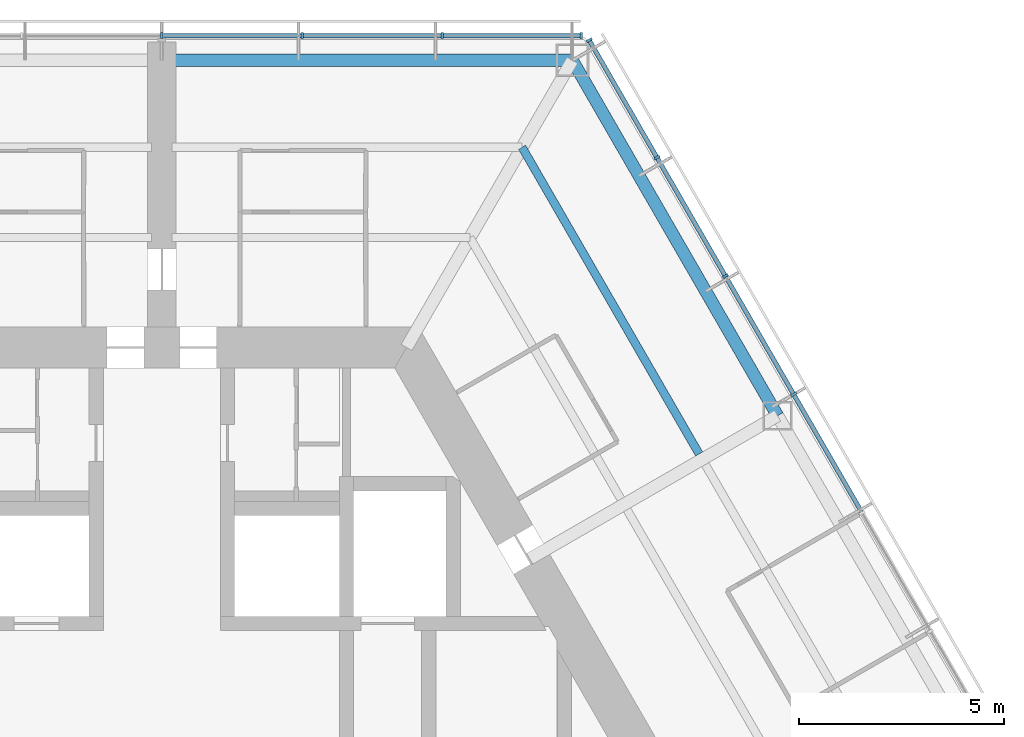
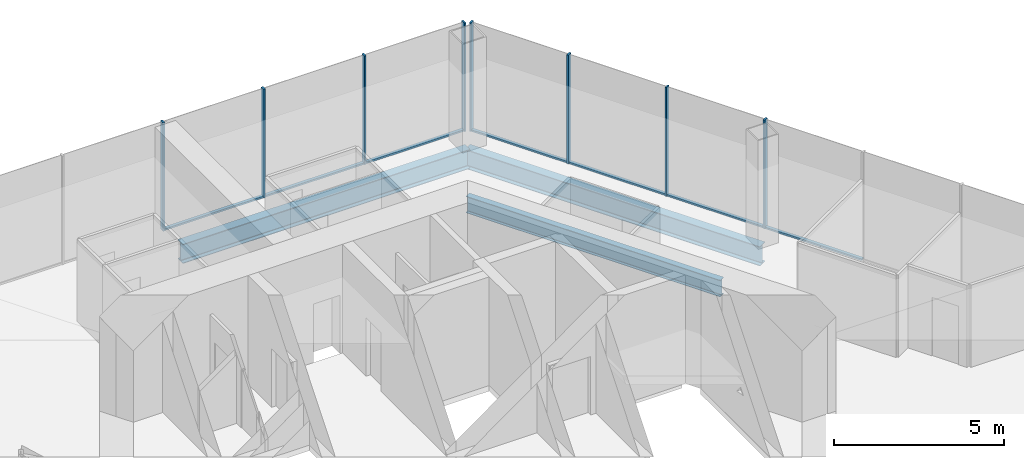
# One storey, part 8 of 18: 15 members, 3 beams, 2 elements without a shape of their own.
"""IFC4 building model written with IfcOpenShell, lengths in metres."""

from ifc_helpers import new_model, si_unit, direction, frame, origin, origin_2d, place, context, subcontext, project, spatial, rectangle, i_section, extrude, material, material_profile, profile_set, type_object, element, aggregate, save


model = new_model("IFC4")

# Units and contexts
model_context = context("Model", 3, precision=1e-05, world=origin(), true_north=direction((0.0, 1.0)))
body_context = subcontext(model_context, "Body", "Model", "MODEL_VIEW")
ifc_project = project(units=[si_unit("LENGTHUNIT", "METRE"), si_unit("AREAUNIT", "SQUARE_METRE"), si_unit("VOLUMEUNIT", "CUBIC_METRE"), si_unit("PLANEANGLEUNIT", "RADIAN"), si_unit("MASSUNIT", "GRAM", prefix="KILO")], contexts=[model_context])

# Site, building, storey
site_placement = place(None, origin())
site = spatial("IfcSite", under=ifc_project, at=site_placement, CompositionType="ELEMENT")
building_placement = place(site_placement, origin())
building = spatial("IfcBuilding", under=site, at=building_placement, Name="Kasaneha Research Tower", CompositionType="ELEMENT")
storey_placement = place(building_placement, frame((0.0, 0.0, 195.5)))
storey = spatial("IfcBuildingStorey", under=building, at=storey_placement, Name="L49", CompositionType="ELEMENT", Elevation=195.5)

# Beam
ifc_material_1 = material(Name="Steel SN490B", Category="steel")
ifc_material_profile_1 = material_profile(ifc_material_1, i_section(OverallWidth=0.199951171875, OverallDepth=0.60009765625, WebThickness=0.010986328125, FlangeThickness=0.01708984375, FilletRadius=0.012939453125, at=origin_2d()), Name="H-600x200x11x17")
ifc_profile_set_1 = profile_set([ifc_material_profile_1], Name="Steel SN490B")
beam_type_1 = type_object("IfcBeamType", Name="B1-3 secondary beam H-600x200x11x17", PredefinedType="JOIST", material=ifc_profile_set_1)
beam_1_placement = place(storey_placement, frame((8.775634765625, 15.199951171875, -0.449951171875), z_axis=(0.500017275495, -0.866015429543, 0.0), x_axis=(0.866015429543, 0.500017275495, 0.0)))
element("IfcBeam", 1, at=beam_1_placement, inside=storey, type_object=beam_type_1, Name="Secondary beam RS030R2 L49", PredefinedType="JOIST", context=body_context, shape_type="SweptSolid", body=[
    extrude(i_section(OverallWidth=0.199951171875, OverallDepth=0.60009765625, WebThickness=0.010986328125, FlangeThickness=0.01708984375, FilletRadius=0.012939453125, at=origin_2d()), origin(), (0.0, 0.0, 1.0), 8.625732421875),
])

# Curtain wall, members
ifc_material_2 = material(Name="Glass and aluminium", Category="aluminium")
curtain_wall_type = type_object("IfcCurtainWallType", Name="Mid-rise office curtain wall", PredefinedType="USERDEFINED", material=ifc_material_2)
curtain_wall_1_placement = place(storey_placement, origin())
curtain_wall_1 = element("IfcCurtainWall", 2, at=curtain_wall_1_placement, inside=storey, type_object=curtain_wall_type, Name="CW-O2 L49 run 06a", ObjectType="UNITISED CURTAIN WALL", PredefinedType="USERDEFINED")
ifc_material_3 = material(Name="Aluminium 6063-T6", Category="aluminium")
ifc_material_profile_2 = material_profile(ifc_material_3, rectangle(XDim=0.06005859375, YDim=0.14990234375, at=origin_2d()), Name="CW-O2 mullion 60x150")
ifc_profile_set_2 = profile_set([ifc_material_profile_2], Name="Aluminium 6063-T6")
member_type_1 = type_object("IfcMemberType", Name="CW-O2 mullion", PredefinedType="MULLION", material=ifc_profile_set_2)
member_1_placement = place(storey_placement, frame((15.392822265625, 9.179931640625, 0.0), z_axis=(0.0, 0.0, 1.0), x_axis=(-0.499999979232, 0.866025415775, 0.0)))
member_1 = element("IfcMember", 3, at=member_1_placement, type_object=member_type_1, Name="CW-O2 mullion 4", PredefinedType="MULLION", context=body_context, shape_type="SweptSolid", body=[
    extrude(rectangle(XDim=0.06005859375, YDim=0.14990234375, at=origin_2d()), origin(), (0.0, 0.0, 1.0), 3.89990234375),
])
member_2_placement = place(storey_placement, frame((13.727294921875, 12.064453125, 0.0), z_axis=(0.0, 0.0, 1.0), x_axis=(-0.499999979232, 0.866025415775, 0.0)))
member_2 = element("IfcMember", 4, at=member_2_placement, type_object=member_type_1, Name="CW-O2 mullion 5", PredefinedType="MULLION", context=body_context, shape_type="SweptSolid", body=[
    extrude(rectangle(XDim=0.06005859375, YDim=0.14990234375, at=origin_2d()), origin(), (0.0, 0.0, 1.0), 3.89990234375),
])
member_3_placement = place(storey_placement, frame((12.061767578125, 14.94921875, 0.0), z_axis=(0.0, 0.0, 1.0), x_axis=(-0.499999979232, 0.866025415775, 0.0)))
member_3 = element("IfcMember", 5, at=member_3_placement, type_object=member_type_1, Name="CW-O2 mullion 6", PredefinedType="MULLION", context=body_context, shape_type="SweptSolid", body=[
    extrude(rectangle(XDim=0.06005859375, YDim=0.14990234375, at=origin_2d()), origin(), (0.0, 0.0, 1.0), 3.89990234375),
])
member_4_placement = place(storey_placement, frame((10.411376953125, 17.807861328125, 0.0), z_axis=(0.0, 0.0, 1.0), x_axis=(-0.499999979232, 0.866025415775, 0.0)))
member_4 = element("IfcMember", 6, at=member_4_placement, type_object=member_type_1, Name="CW-O2 mullion 7", PredefinedType="MULLION", context=body_context, shape_type="SweptSolid", body=[
    extrude(rectangle(XDim=0.06005859375, YDim=0.14990234375, at=origin_2d()), origin(), (0.0, 0.0, 1.0), 3.89990234375),
])

curtain_wall_2_placement = place(storey_placement, origin())
curtain_wall_2 = element("IfcCurtainWall", 7, at=curtain_wall_2_placement, inside=storey, type_object=curtain_wall_type, Name="CW-O2 L49 run 07a", ObjectType="UNITISED CURTAIN WALL", PredefinedType="USERDEFINED")
member_5_placement = place(storey_placement, frame((10.21630859375, 17.92041015625, 0.0), z_axis=(0.0, 0.0, 1.0), x_axis=(-1.0, 0.0, 0.0)))
member_5 = element("IfcMember", 8, at=member_5_placement, type_object=member_type_1, Name="CW-O2 mullion 1", PredefinedType="MULLION", context=body_context, shape_type="SweptSolid", body=[
    extrude(rectangle(XDim=0.06005859375, YDim=0.14990234375, at=origin_2d()), origin(), (0.0, 0.0, 1.0), 3.89990234375),
])
member_6_placement = place(storey_placement, frame((6.8310546875, 17.92041015625, 0.0), z_axis=(0.0, 0.0, 1.0), x_axis=(-1.0, 0.0, 0.0)))
member_6 = element("IfcMember", 9, at=member_6_placement, type_object=member_type_1, Name="CW-O2 mullion 2", PredefinedType="MULLION", context=body_context, shape_type="SweptSolid", body=[
    extrude(rectangle(XDim=0.06005859375, YDim=0.14990234375, at=origin_2d()), origin(), (0.0, 0.0, 1.0), 3.89990234375),
])
member_7_placement = place(storey_placement, frame((3.41552734375, 17.92041015625, 0.0), z_axis=(0.0, 0.0, 1.0), x_axis=(-1.0, 0.0, 0.0)))
member_7 = element("IfcMember", 10, at=member_7_placement, type_object=member_type_1, Name="CW-O2 mullion 3", PredefinedType="MULLION", context=body_context, shape_type="SweptSolid", body=[
    extrude(rectangle(XDim=0.06005859375, YDim=0.14990234375, at=origin_2d()), origin(), (0.0, 0.0, 1.0), 3.89990234375),
])
member_8_placement = place(storey_placement, frame((0.0, 17.92041015625, 0.0), z_axis=(0.0, 0.0, 1.0), x_axis=(-1.0, 0.0, 0.0)))
member_8 = element("IfcMember", 11, at=member_8_placement, type_object=member_type_1, Name="CW-O2 mullion 4", PredefinedType="MULLION", context=body_context, shape_type="SweptSolid", body=[
    extrude(rectangle(XDim=0.06005859375, YDim=0.14990234375, at=origin_2d()), origin(), (0.0, 0.0, 1.0), 3.89990234375),
])

# Member
ifc_material_4 = material(Name="Aluminium 6063-T6", Category="aluminium")
ifc_material_profile_3 = material_profile(ifc_material_4, rectangle(XDim=0.110107421875, YDim=0.06005859375, at=origin_2d()), Name="CW-O2 transom 110x60")
ifc_profile_set_3 = profile_set([ifc_material_profile_3], Name="Aluminium 6063-T6")
member_type_2 = type_object("IfcMemberType", Name="CW-O2 transom", PredefinedType="USERDEFINED", material=ifc_profile_set_3)
member_9_placement = place(storey_placement, frame((17.043212890625, 6.3212890625, 0.030029296875), z_axis=(-0.50003259116, 0.866006586452, 0.0), x_axis=(-0.866006586452, -0.50003259116, 0.0)))
member_9 = element("IfcMember", 12, at=member_9_placement, type_object=member_type_2, Name="CW-O2 transom 3", ObjectType="TRANSOM", PredefinedType="USERDEFINED", context=body_context, shape_type="SweptSolid", body=[
    extrude(rectangle(XDim=0.110107421875, YDim=0.06005859375, at=origin_2d()), origin(), (0.0, 0.0, 1.0), 3.270751953125),
])

member_10_placement = place(storey_placement, frame((15.3779296875, 9.205810546875, 0.030029296875), z_axis=(-0.500000270186, 0.866025247793, 0.0), x_axis=(-0.866025247793, -0.500000270186, 0.0)))
member_10 = element("IfcMember", 13, at=member_10_placement, type_object=member_type_2, Name="CW-O2 transom 4", ObjectType="TRANSOM", PredefinedType="USERDEFINED", context=body_context, shape_type="SweptSolid", body=[
    extrude(rectangle(XDim=0.110107421875, YDim=0.06005859375, at=origin_2d()), origin(), (0.0, 0.0, 1.0), 3.27099609375),
])

member_11_placement = place(storey_placement, frame((13.71240234375, 12.090576171875, 0.030029296875), z_axis=(-0.500000270186, 0.866025247793, 0.0), x_axis=(-0.866025247793, -0.500000270186, 0.0)))
member_11 = element("IfcMember", 14, at=member_11_placement, type_object=member_type_2, Name="CW-O2 transom 5", ObjectType="TRANSOM", PredefinedType="USERDEFINED", context=body_context, shape_type="SweptSolid", body=[
    extrude(rectangle(XDim=0.110107421875, YDim=0.06005859375, at=origin_2d()), origin(), (0.0, 0.0, 1.0), 3.27099609375),
])

member_12_placement = place(storey_placement, frame((12.046875, 14.97509765625, 0.030029296875), z_axis=(-0.499955025697, 0.866051368154, 0.0), x_axis=(-0.866051368154, -0.499955025697, 0.0)))
member_12 = element("IfcMember", 15, at=member_12_placement, type_object=member_type_2, Name="CW-O2 transom 6", ObjectType="TRANSOM", PredefinedType="USERDEFINED", context=body_context, shape_type="SweptSolid", body=[
    extrude(rectangle(XDim=0.110107421875, YDim=0.06005859375, at=origin_2d()), origin(), (0.0, 0.0, 1.0), 3.240966796875),
])

aggregate(curtain_wall_1, [member_1, member_2, member_3, member_4, member_9, member_10, member_11, member_12])

member_13_placement = place(storey_placement, frame((10.1865234375, 17.92041015625, 0.030029296875), z_axis=(-1.0, 0.0, 0.0), x_axis=(0.0, -1.0, 0.0)))
member_13 = element("IfcMember", 16, at=member_13_placement, type_object=member_type_2, Name="CW-O2 transom 1", ObjectType="TRANSOM", PredefinedType="USERDEFINED", context=body_context, shape_type="SweptSolid", body=[
    extrude(rectangle(XDim=0.110107421875, YDim=0.06005859375, at=origin_2d()), origin(), (0.0, 0.0, 1.0), 3.32568359375),
])

member_14_placement = place(storey_placement, frame((6.801025390625, 17.92041015625, 0.030029296875), z_axis=(-1.0, 0.0, 0.0), x_axis=(0.0, -1.0, 0.0)))
member_14 = element("IfcMember", 17, at=member_14_placement, type_object=member_type_2, Name="CW-O2 transom 2", ObjectType="TRANSOM", PredefinedType="USERDEFINED", context=body_context, shape_type="SweptSolid", body=[
    extrude(rectangle(XDim=0.110107421875, YDim=0.06005859375, at=origin_2d()), origin(), (0.0, 0.0, 1.0), 3.35546875),
])

member_15_placement = place(storey_placement, frame((3.385498046875, 17.92041015625, 0.030029296875), z_axis=(-1.0, 0.0, 0.0), x_axis=(0.0, -1.0, 0.0)))
member_15 = element("IfcMember", 18, at=member_15_placement, type_object=member_type_2, Name="CW-O2 transom 3", ObjectType="TRANSOM", PredefinedType="USERDEFINED", context=body_context, shape_type="SweptSolid", body=[
    extrude(rectangle(XDim=0.110107421875, YDim=0.06005859375, at=origin_2d()), origin(), (0.0, 0.0, 1.0), 3.35546875),
])

aggregate(curtain_wall_2, [member_5, member_6, member_7, member_8, member_13, member_14, member_15])

# Beams
ifc_material_5 = material(Name="Steel SN490B", Category="steel")
ifc_material_profile_4 = material_profile(ifc_material_5, i_section(OverallWidth=0.300048828125, OverallDepth=0.69189453125, WebThickness=0.012939453125, FlangeThickness=0.02001953125, FilletRadius=0.01806640625, at=origin_2d()), Name="H-692x300x13x20")
ifc_profile_set_4 = profile_set([ifc_material_profile_4], Name="Steel SN490B")
beam_type_2 = type_object("IfcBeamType", Name="G3-3 plate edge girder H-692x300x13x20", PredefinedType="BEAM", material=ifc_profile_set_4)
beam_2_placement = place(storey_placement, frame((10.0, 17.320556640625, -0.49609375), z_axis=(-1.0, 0.0, 0.0), x_axis=(0.0, -1.0, 0.0)))
element("IfcBeam", 19, at=beam_2_placement, inside=storey, type_object=beam_type_2, Name="Plate edge girder PEAP L49", PredefinedType="BEAM", context=body_context, shape_type="SweptSolid", body=[
    extrude(i_section(OverallWidth=0.300048828125, OverallDepth=0.69189453125, WebThickness=0.012939453125, FlangeThickness=0.02001953125, FilletRadius=0.01806640625, at=origin_2d()), origin(), (0.0, 0.0, 1.0), 9.75),
])
ifc_material_6 = material(Name="Steel SN490B", Category="steel")
ifc_material_profile_5 = material_profile(ifc_material_6, i_section(OverallWidth=0.300048828125, OverallDepth=0.69189453125, WebThickness=0.012939453125, FlangeThickness=0.02001953125, FilletRadius=0.01806640625, at=origin_2d()), Name="H-692x300x13x20")
ifc_profile_set_5 = profile_set([ifc_material_profile_5], Name="Steel SN490B")
beam_type_3 = type_object("IfcBeamType", Name="SB1-3 spandrel beam H-692x300x13x20", PredefinedType="SPANDREL", material=ifc_profile_set_5)
beam_3_placement = place(storey_placement, frame((10.0, 17.320556640625, -0.49609375), z_axis=(0.499993662806, -0.866029062534, 0.0), x_axis=(0.866029062534, 0.499993662806, 0.0)))
element("IfcBeam", 20, at=beam_3_placement, inside=storey, type_object=beam_type_3, Name="Spandrel beam SR030R L49", PredefinedType="SPANDREL", context=body_context, shape_type="SweptSolid", body=[
    extrude(i_section(OverallWidth=0.300048828125, OverallDepth=0.69189453125, WebThickness=0.012939453125, FlangeThickness=0.02001953125, FilletRadius=0.01806640625, at=origin_2d()), origin(), (0.0, 0.0, 1.0), 10.000244140625),
])

save(model, "model.ifc")
